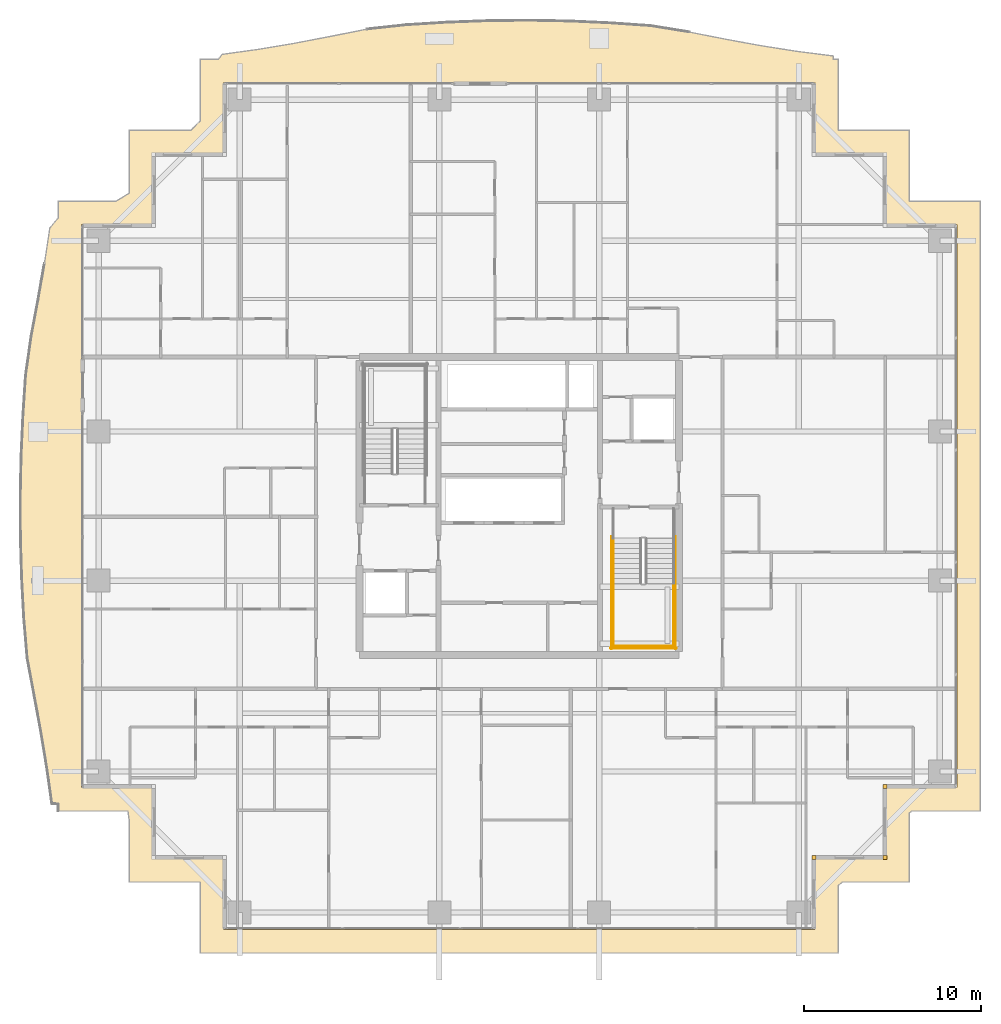
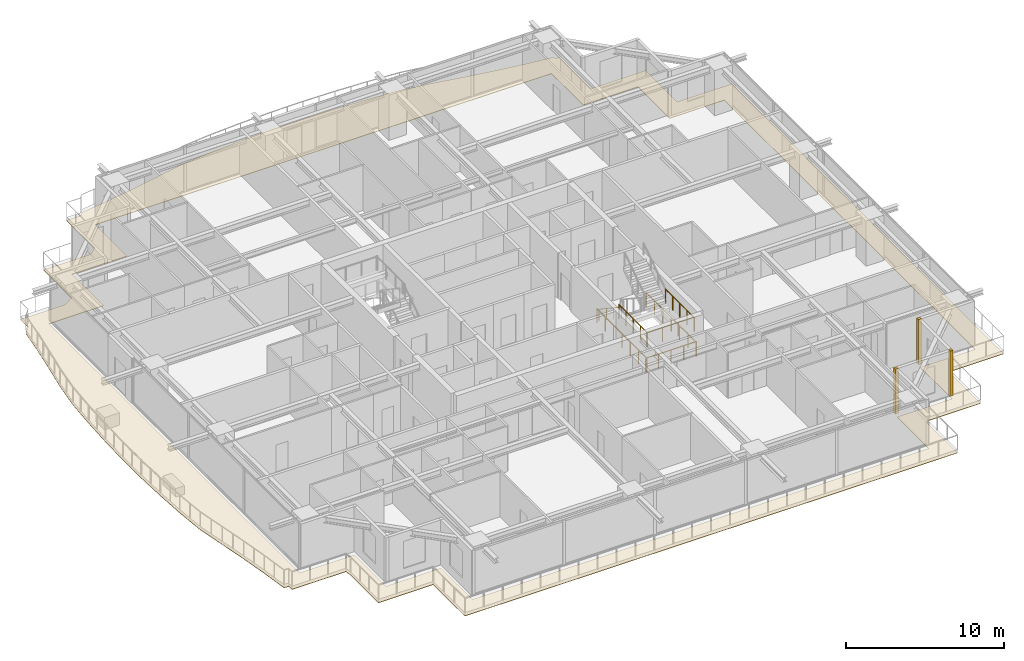
# One storey, part 35 of 37: 7 railings, 4 coverings.
"""IFC4 building model written with IfcOpenShell, lengths in metres."""

from ifc_helpers import new_model, si_unit, direction, frame, origin, origin_2d, place, context, subcontext, project, spatial, polyline, rectangle, circle, outline, extrude, source, transform, mapped, material, layer, layer_set, type_object, element, save


model = new_model("IFC4")

# Units and contexts
model_context = context("Model", 3, precision=1e-05, world=origin(), true_north=direction((0.0, 1.0)))
body_context = subcontext(model_context, "Body", "Model", "MODEL_VIEW")
ifc_project = project(units=[si_unit("LENGTHUNIT", "METRE"), si_unit("AREAUNIT", "SQUARE_METRE"), si_unit("VOLUMEUNIT", "CUBIC_METRE"), si_unit("PLANEANGLEUNIT", "RADIAN"), si_unit("MASSUNIT", "GRAM", prefix="KILO")], contexts=[model_context])

# Site, building, storey
site_placement = place(None, origin())
site = spatial("IfcSite", under=ifc_project, at=site_placement, CompositionType="ELEMENT")
building_placement = place(site_placement, origin())
building = spatial("IfcBuilding", under=site, at=building_placement, Name="Serunith Strait Residences", CompositionType="ELEMENT")
storey_placement = place(building_placement, frame((0.0, 0.0, 153.89990234375)))
storey = spatial("IfcBuildingStorey", under=building, at=storey_placement, Name="L38", CompositionType="ELEMENT", Elevation=153.89990234375)

# Covering
ifc_material_1 = material(Name="Golden Teak Exterior Timber Boarding", Category="wood")
ifc_layer_1 = layer(ifc_material_1, 0.034912109375, Name="Golden Teak Exterior Timber Boarding")
ifc_layer_set_1 = layer_set([ifc_layer_1], Name="Golden Teak Exterior Timber Boarding")
covering_type_1 = type_object("IfcCoveringType", Name="COV-TEAK-SOFFIT", PredefinedType="CEILING", material=ifc_layer_set_1)
covering_placement = place(storey_placement, frame((0.0, 0.0, -0.324951171875)))
element("IfcCovering", 1, at=covering_placement, inside=storey, type_object=covering_type_1, Name="L38 Golden-Teak Balcony Soffit Lining", PredefinedType="CEILING", context=body_context, shape_type="SweptSolid", body=[
    extrude(outline(polyline([(6.419921875, 8.02001953125), (6.419921875, 8.413330078125), (6.072998046875, 8.433349609375), (5.79248046875, 10.43603515625), (5.458740234375, 12.45947265625), (5.081298828125, 14.5205078125), (4.684326171875, 16.637451171875), (4.4951171875, 18.86669921875), (4.375, 21.13671875), (4.306396484375, 23.429931640625), (4.2958984375, 25.733154296875), (4.34423828125, 28.0322265625), (4.44677734375, 30.3134765625), (4.593994140625, 32.56591796875), (4.900390625, 34.7392578125), (5.29150390625, 36.82568359375), (5.6484375, 38.86572265625), (5.954833984375, 40.877197265625), (6.419921875, 41.42431640625), (6.419921875, 42.3798828125), (9.683349609375, 42.3798828125), (10.419921875, 42.821533203125), (10.419921875, 46.3798828125), (13.89599609375, 46.3798828125), (14.419921875, 46.88330078125), (14.419921875, 50.3798828125), (15.455810546875, 50.3798828125), (15.648193359375, 50.648681640625), (17.6455078125, 50.926025390625), (19.660400390625, 51.26318359375), (21.711181640625, 51.6533203125), (23.818603515625, 52.072998046875), (26.03955078125, 52.312255859375), (28.315673828125, 52.4541015625), (30.619384765625, 52.541259765625), (32.9365234375, 52.564697265625), (35.250732421875, 52.521728515625), (37.546142578125, 52.4169921875), (39.8095703125, 52.26123046875), (41.976318359375, 51.9091796875), (44.057373046875, 51.498291015625), (46.09033203125, 51.128173828125), (48.095458984375, 50.81494140625), (50.089111328125, 50.561279296875), (50.08740234375, 50.3798828125), (50.3798828125, 50.3798828125), (50.3798828125, 46.3798828125), (54.3798828125, 46.3798828125), (54.3798828125, 42.3798828125), (58.3798828125, 42.3798828125), (58.3798828125, 8.02001953125), (54.51513671875, 8.02001953125), (54.3798828125, 7.921875), (54.3798828125, 4.02001953125), (50.601806640625, 4.02001953125), (50.3798828125, 3.8408203125), (50.3798828125, 0.02001953125), (14.419921875, 0.02001953125), (14.419921875, 4.02001953125), (10.419921875, 4.02001953125), (10.419921875, 7.54443359375), (10.349365234375, 8.02001953125), (6.419921875, 8.02001953125)]), holes=[polyline([(49.054931640625, 1.344970703125), (49.054931640625, 5.344970703125), (53.054931640625, 5.344970703125), (53.054931640625, 9.344970703125), (57.054931640625, 9.344970703125), (57.054931640625, 41.054931640625), (53.054931640625, 41.054931640625), (53.054931640625, 45.054931640625), (49.054931640625, 45.054931640625), (49.054931640625, 49.054931640625), (15.7451171875, 49.054931640625), (15.7451171875, 45.054931640625), (11.7451171875, 45.054931640625), (11.7451171875, 41.054931640625), (7.7451171875, 41.054931640625), (7.7451171875, 9.344970703125), (11.7451171875, 9.344970703125), (11.7451171875, 5.344970703125), (15.7451171875, 5.344970703125), (15.7451171875, 1.344970703125), (49.054931640625, 1.344970703125)])]), origin(), (0.0, 0.0, 1.0), 0.03515625),
])

# Railings
ifc_material_2 = material(Name="Brushed stainless steel 316L", Category="steel")
railing_type_1 = type_object("IfcRailingType", Name="RLG-STAIR-GUARD", PredefinedType="BALUSTRADE", material=ifc_material_2)
for number, where, name in (
    (2, (37.699951171875, 20.85009765625, 1.875), "L38 ST-2 stair guard 3"),
    (3, (41.10009765625, 20.85009765625, 1.875), "L38 ST-2 stair guard 4"),
):
    element("IfcRailing", number, at=place(storey_placement, frame(where)), inside=storey, type_object=railing_type_1, Name=name, PredefinedType="BALUSTRADE", context=body_context, shape_type="SweptSolid", body=[
        extrude(circle(Radius=0.02392578125, at=origin_2d()), frame((0.0, -0.001953125, 1.076171875), z_axis=(0.0, -1.0, 0.0), x_axis=(1.0, 0.0, 0.0)), (0.0, 0.0, 1.0), 3.59619140625),
        extrude(circle(Radius=0.02099609375, at=origin_2d()), origin(), (0.0, 0.0, 1.0), 1.050048828125),
        extrude(circle(Radius=0.02099609375, at=origin_2d()), frame((0.0, -0.89990234375, 0.0)), (0.0, 0.0, 1.0), 1.050048828125),
        extrude(circle(Radius=0.02099609375, at=origin_2d()), frame((0.0, -1.800048828125, 0.0)), (0.0, 0.0, 1.0), 1.050048828125),
        extrude(circle(Radius=0.02099609375, at=origin_2d()), frame((0.0, -2.7001953125, 0.0)), (0.0, 0.0, 1.0), 1.050048828125),
        extrude(circle(Radius=0.02099609375, at=origin_2d()), frame((0.0, -3.60009765625, 0.0)), (0.0, 0.0, 1.0), 1.050048828125),
    ])
railing_1_placement = place(storey_placement, frame((37.64990234375, 17.300048828125, 1.875)))
element("IfcRailing", 4, at=railing_1_placement, inside=storey, type_object=railing_type_1, Name="L38 ST-2 stair guard 5", PredefinedType="BALUSTRADE", context=body_context, shape_type="SweptSolid", body=[
    extrude(circle(Radius=0.02392578125, at=origin_2d()), frame((0.001953125, 0.0, 1.076171875), z_axis=(1.0, 0.0, 0.0), x_axis=(0.0, 1.0, 0.0)), (0.0, 0.0, 1.0), 3.49609375),
    extrude(circle(Radius=0.02099609375, at=origin_2d()), origin(), (0.0, 0.0, 1.0), 1.050048828125),
    extrude(circle(Radius=0.02099609375, at=origin_2d()), frame((1.166748046875, 0.0, 0.0)), (0.0, 0.0, 1.0), 1.050048828125),
    extrude(circle(Radius=0.02099609375, at=origin_2d()), frame((2.333251953125, 0.0, 0.0)), (0.0, 0.0, 1.0), 1.050048828125),
    extrude(circle(Radius=0.02099609375, at=origin_2d()), frame((3.5, 0.0, 0.0)), (0.0, 0.0, 1.0), 1.050048828125),
])
for number, where, name in (
    (5, (37.60009765625, 23.469970703125, 0.0), "L38 ST-2 stair guard 10"),
    (6, (41.199951171875, 23.469970703125, 0.0), "L38 ST-2 stair guard 11"),
):
    element("IfcRailing", number, at=place(storey_placement, frame(where)), inside=storey, type_object=railing_type_1, Name=name, PredefinedType="BALUSTRADE", context=body_context, shape_type="SweptSolid", body=[
        extrude(circle(Radius=0.02392578125, at=origin_2d()), frame((0.0, -0.001953125, 1.076171875), z_axis=(0.0, -1.0, 0.0), x_axis=(1.0, 0.0, 0.0)), (0.0, 0.0, 1.0), 6.316162109375),
        extrude(circle(Radius=0.02099609375, at=origin_2d()), origin(), (0.0, 0.0, 1.0), 1.050048828125),
        extrude(circle(Radius=0.02099609375, at=origin_2d()), frame((0.0, -1.05322265625, 0.0)), (0.0, 0.0, 1.0), 1.050048828125),
        extrude(circle(Radius=0.02099609375, at=origin_2d()), frame((0.0, -2.106689453125, 0.0)), (0.0, 0.0, 1.0), 1.050048828125),
        extrude(circle(Radius=0.02099609375, at=origin_2d()), frame((0.0, -3.16015625, 0.0)), (0.0, 0.0, 1.0), 1.050048828125),
        extrude(circle(Radius=0.02099609375, at=origin_2d()), frame((0.0, -4.21337890625, 0.0)), (0.0, 0.0, 1.0), 1.050048828125),
        extrude(circle(Radius=0.02099609375, at=origin_2d()), frame((0.0, -5.2666015625, 0.0)), (0.0, 0.0, 1.0), 1.050048828125),
        extrude(circle(Radius=0.02099609375, at=origin_2d()), frame((0.0, -6.320068359375, 0.0)), (0.0, 0.0, 1.0), 1.050048828125),
    ])
railing_2_placement = place(storey_placement, frame((37.550048828125, 17.199951171875, 0.0)))
element("IfcRailing", 7, at=railing_2_placement, inside=storey, type_object=railing_type_1, Name="L38 ST-2 stair guard 12", PredefinedType="BALUSTRADE", context=body_context, shape_type="SweptSolid", body=[
    extrude(circle(Radius=0.02392578125, at=origin_2d()), frame((0.001953125, 0.0, 1.076171875), z_axis=(1.0, 0.0, 0.0), x_axis=(0.0, 1.0, 0.0)), (0.0, 0.0, 1.0), 3.696044921875),
    extrude(circle(Radius=0.02099609375, at=origin_2d()), origin(), (0.0, 0.0, 1.0), 1.050048828125),
    extrude(circle(Radius=0.02099609375, at=origin_2d()), frame((0.925048828125, 0.0, 0.0)), (0.0, 0.0, 1.0), 1.050048828125),
    extrude(circle(Radius=0.02099609375, at=origin_2d()), frame((1.85009765625, 0.0, 0.0)), (0.0, 0.0, 1.0), 1.050048828125),
    extrude(circle(Radius=0.02099609375, at=origin_2d()), frame((2.77490234375, 0.0, 0.0)), (0.0, 0.0, 1.0), 1.050048828125),
    extrude(circle(Radius=0.02099609375, at=origin_2d()), frame((3.699951171875, 0.0, 0.0)), (0.0, 0.0, 1.0), 1.050048828125),
])
railing_type_2 = type_object("IfcRailingType", Name="RLG-STAIR-HR", PredefinedType="HANDRAIL", material=ifc_material_2)
railing_3_placement = place(storey_placement, frame((37.699951171875, 23.3701171875, 0.1875)))
element("IfcRailing", 8, at=railing_3_placement, inside=storey, type_object=railing_type_2, Name="L38 ST-2 stair handrail 1", PredefinedType="HANDRAIL", context=body_context, shape_type="SweptSolid", body=[
    extrude(circle(Radius=0.02392578125, at=origin_2d()), frame((0.0, -0.001708984375, 0.876953125), z_axis=(0.0, -0.830208209119, 0.557453432594), x_axis=(1.0, 0.0, 0.0)), (0.0, 0.0, 1.0), 3.36865234375),
    extrude(circle(Radius=0.02099609375, at=origin_2d()), origin(), (0.0, 0.0, 1.0), 0.849853515625),
    extrude(circle(Radius=0.02099609375, at=origin_2d()), frame((0.0, -0.933349609375, 0.626708984375)), (0.0, 0.0, 1.0), 0.849853515625),
    extrude(circle(Radius=0.02099609375, at=origin_2d()), frame((0.0, -1.86669921875, 1.25341796875)), (0.0, 0.0, 1.0), 0.849853515625),
    extrude(circle(Radius=0.02099609375, at=origin_2d()), frame((0.0, -2.800048828125, 1.880126953125)), (0.0, 0.0, 1.0), 0.849853515625),
])

# Coverings
ifc_material_3 = material(Name="Pale-Champagne Anodised Aluminium", Category="aluminium")
ifc_layer_2 = layer(ifc_material_3, 0.219970703125, Name="Pale-Champagne Anodised Aluminium")
ifc_layer_set_2 = layer_set([ifc_layer_2], Name="Pale-Champagne Anodised Aluminium")
covering_type_2 = type_object("IfcCoveringType", Name="COV-CORN-TRIM", PredefinedType="CLADDING", material=ifc_layer_set_2)
shared_shape = source(origin(), body_context, "Body", "SweptSolid", [
    extrude(rectangle(XDim=0.221923828125, YDim=0.221923828125, at=origin_2d()), origin(), (0.0, 0.0, 1.0), 3.47509765625),
])
for number, where, z_axis, x_axis, name in (
    (9, (49.0, 5.39990234375, 0.0), (0.0, 0.0, 1.0), (1.0, 0.0, 0.0), "L38 Girih Serrated Corner Trim Post 02"),
    (10, (53.0, 5.39990234375, 0.0), (0.0, 0.0, 1.0), (1.0, 0.0, 0.0), "L38 Girih Serrated Corner Trim Post 03"),
    (11, (53.0, 9.39990234375, 0.0), (0.0, 0.0, 1.0), (1.0, 0.0, 0.0), "L38 Girih Serrated Corner Trim Post 04"),
):
    element("IfcCovering", number, at=place(storey_placement, frame(where, z_axis=z_axis, x_axis=x_axis)), inside=storey, type_object=covering_type_2, Name=name, PredefinedType="CLADDING", context=body_context, shape_type="MappedRepresentation", body=[
        mapped(shared_shape, transform((0.0, 0.0, 0.0), scale=1.0)),
    ])

save(model, "model.ifc")
